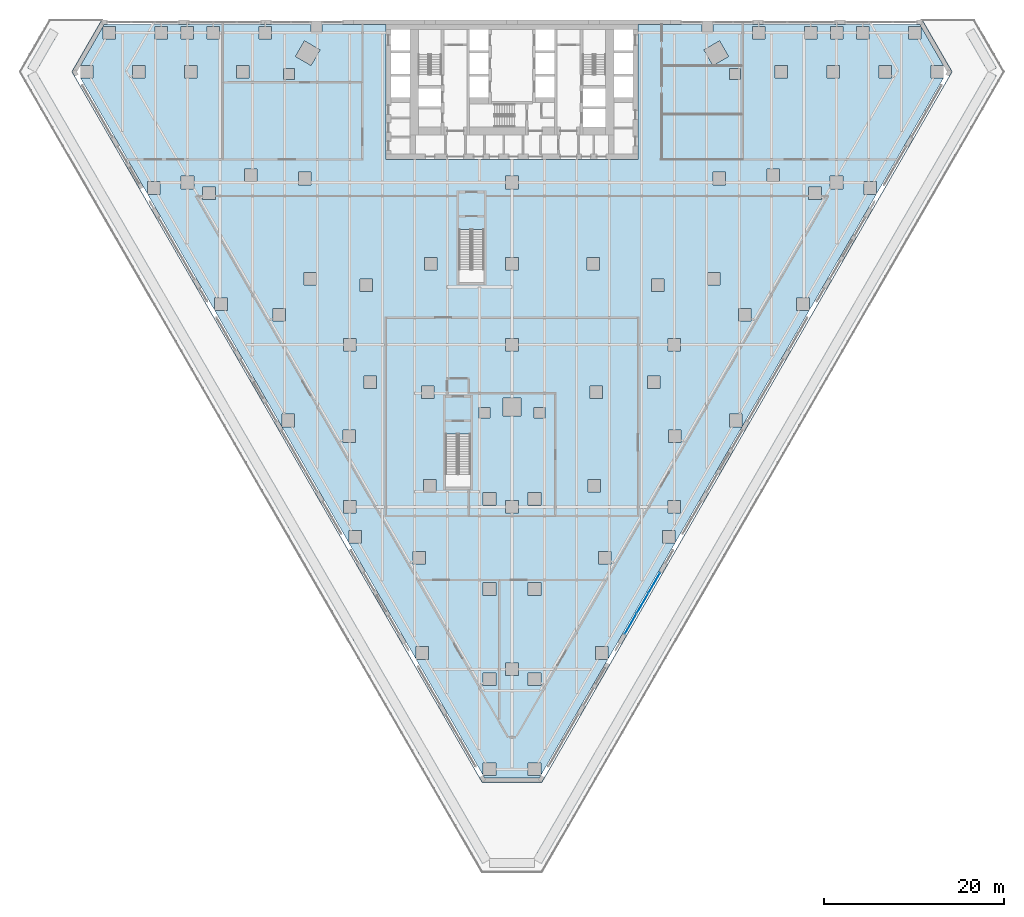
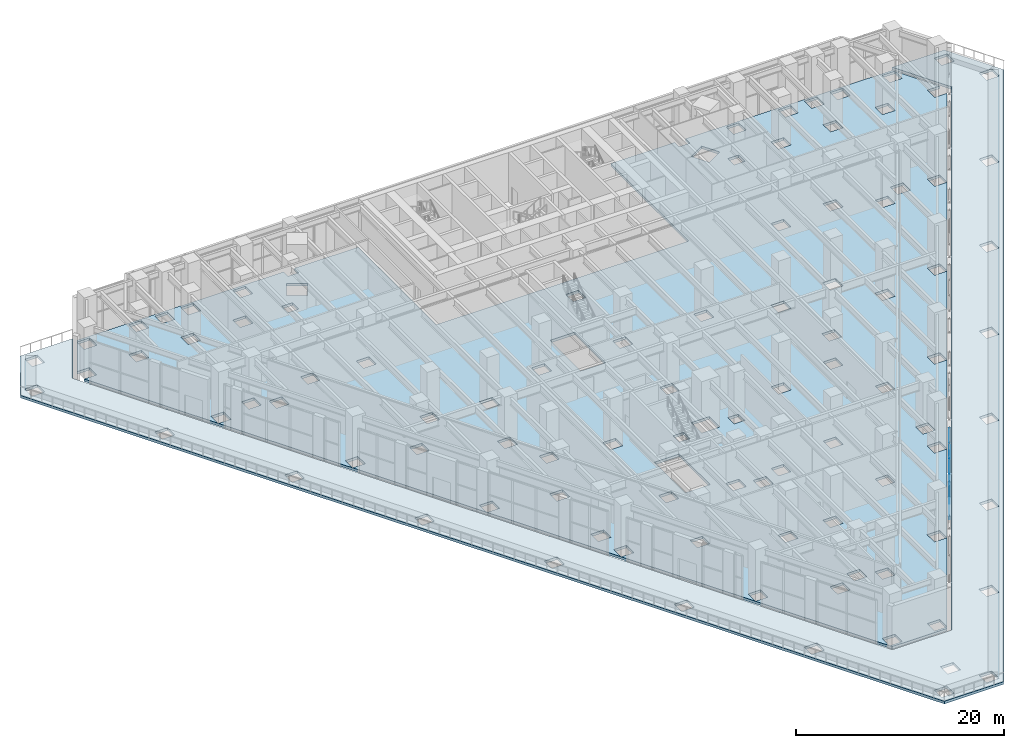
# One storey, part 23 of 40: 6 plates, 2 slabs, 1 element without a shape of its own.
"""IFC4 building model written with IfcOpenShell, lengths in metres."""

from ifc_helpers import new_model, si_unit, direction, frame, origin, origin_2d, place, context, subcontext, project, spatial, polyline, rectangle, outline, extrude, material, layer, layer_set, type_object, element, aggregate, save


model = new_model("IFC4")

# Units and contexts
model_context = context("Model", 3, precision=1e-05, world=origin(), true_north=direction((0.0, 1.0)))
body_context = subcontext(model_context, "Body", "Model", "MODEL_VIEW")
ifc_project = project(units=[si_unit("LENGTHUNIT", "METRE"), si_unit("AREAUNIT", "SQUARE_METRE"), si_unit("VOLUMEUNIT", "CUBIC_METRE"), si_unit("PLANEANGLEUNIT", "RADIAN"), si_unit("MASSUNIT", "GRAM", prefix="KILO")], contexts=[model_context])

# Site, building, storey
site_placement = place(None, origin())
site = spatial("IfcSite", under=ifc_project, at=site_placement, CompositionType="ELEMENT")
building_placement = place(site_placement, origin())
building = spatial("IfcBuilding", under=site, at=building_placement, Name="Aloe Facet Convention Tower", CompositionType="ELEMENT")
storey_placement = place(building_placement, frame((0.0, 0.0, 13.5)))
storey = spatial("IfcBuildingStorey", under=building, at=storey_placement, Name="L02", CompositionType="ELEMENT", Elevation=13.5)

# Curtain wall, plates
ifc_material_1 = material(Name="Aluminium, anodised", Category="aluminium")
curtain_wall_type = type_object("IfcCurtainWallType", Name="EV-CW-HALL", PredefinedType="USERDEFINED", material=ifc_material_1)
curtain_wall_placement = place(storey_placement, origin())
curtain_wall = element("IfcCurtainWall", 1, at=curtain_wall_placement, inside=storey, type_object=curtain_wall_type, Name="CW-L02-E06", ObjectType="UNITISED HALL GLAZING", PredefinedType="USERDEFINED")
ifc_material_2 = material(Name="Clear double glazing", Category="glass")
ifc_layer_1 = layer(ifc_material_2, 0.035888671875)
ifc_layer_set_1 = layer_set([ifc_layer_1], Name="EV-PANEL-HALL")
plate_type = type_object("IfcPlateType", Name="EV-PANEL-HALL", PredefinedType="CURTAIN_PANEL", material=ifc_layer_set_1)
plate_1_placement = place(storey_placement, frame((93.17041015625, 68.0322265625, -0.23486328125), z_axis=(0.0, 0.0, 1.0), x_axis=(0.499999999955, 0.866025403811, 0.0)))
plate_1 = element("IfcPlate", 2, at=plate_1_placement, type_object=plate_type, Name="CW-L02-E06 panel 1.1", PredefinedType="CURTAIN_PANEL", context=body_context, shape_type="SweptSolid", body=[
    extrude(rectangle(XDim=2.535400390625, YDim=0.035888671875, at=origin_2d()), origin(), (0.0, 0.0, 1.0), 2.583740234375),
])
plate_2_placement = place(storey_placement, frame((93.17041015625, 68.0322265625, 2.41357421875), z_axis=(0.0, 0.0, 1.0), x_axis=(0.499999999955, 0.866025403811, 0.0)))
plate_2 = element("IfcPlate", 3, at=plate_2_placement, type_object=plate_type, Name="CW-L02-E06 panel 1.2", PredefinedType="CURTAIN_PANEL", context=body_context, shape_type="SweptSolid", body=[
    extrude(rectangle(XDim=2.535400390625, YDim=0.035888671875, at=origin_2d()), origin(), (0.0, 0.0, 1.0), 2.583740234375),
])
plate_3_placement = place(storey_placement, frame((94.478759765625, 70.29833984375, -0.23486328125), z_axis=(0.0, 0.0, 1.0), x_axis=(0.499999999955, 0.866025403811, 0.0)))
plate_3 = element("IfcPlate", 4, at=plate_3_placement, type_object=plate_type, Name="CW-L02-E06 panel 2.1", PredefinedType="CURTAIN_PANEL", context=body_context, shape_type="SweptSolid", body=[
    extrude(rectangle(XDim=2.56787109375, YDim=0.035888671875, at=origin_2d()), origin(), (0.0, 0.0, 1.0), 2.583740234375),
])
plate_4_placement = place(storey_placement, frame((94.478759765625, 70.29833984375, 2.41357421875), z_axis=(0.0, 0.0, 1.0), x_axis=(0.499999999955, 0.866025403811, 0.0)))
plate_4 = element("IfcPlate", 5, at=plate_4_placement, type_object=plate_type, Name="CW-L02-E06 panel 2.2", PredefinedType="CURTAIN_PANEL", context=body_context, shape_type="SweptSolid", body=[
    extrude(rectangle(XDim=2.56787109375, YDim=0.035888671875, at=origin_2d()), origin(), (0.0, 0.0, 1.0), 2.583740234375),
])
plate_5_placement = place(storey_placement, frame((95.787109375, 72.564453125, -0.23486328125), z_axis=(0.0, 0.0, 1.0), x_axis=(0.499999999955, 0.866025403811, 0.0)))
plate_5 = element("IfcPlate", 6, at=plate_5_placement, type_object=plate_type, Name="CW-L02-E06 panel 3.1", PredefinedType="CURTAIN_PANEL", context=body_context, shape_type="SweptSolid", body=[
    extrude(rectangle(XDim=2.535400390625, YDim=0.035888671875, at=origin_2d()), origin(), (0.0, 0.0, 1.0), 2.583740234375),
])
plate_6_placement = place(storey_placement, frame((95.787109375, 72.564453125, 2.41357421875), z_axis=(0.0, 0.0, 1.0), x_axis=(0.499999999955, 0.866025403811, 0.0)))
plate_6 = element("IfcPlate", 7, at=plate_6_placement, type_object=plate_type, Name="CW-L02-E06 panel 3.2", PredefinedType="CURTAIN_PANEL", context=body_context, shape_type="SweptSolid", body=[
    extrude(rectangle(XDim=2.535400390625, YDim=0.035888671875, at=origin_2d()), origin(), (0.0, 0.0, 1.0), 2.583740234375),
])
aggregate(curtain_wall, [plate_1, plate_2, plate_3, plate_4, plate_5, plate_6])

# Slabs
ifc_material_3 = material(Name="Concrete C35/45", Category="concrete")
ifc_layer_2 = layer(ifc_material_3, 0.300048828125)
ifc_layer_set_2 = layer_set([ifc_layer_2], Name="SF-FS-300")
slab_type_1 = type_object("IfcSlabType", Name="SF-FS-300", PredefinedType="FLOOR", material=ifc_layer_set_2)
slab_1_placement = place(storey_placement, frame((0.0, 0.0, -0.300048828125)))
element("IfcSlab", 8, at=slab_1_placement, inside=storey, type_object=slab_type_1, Name="Floor slab L02-1", PredefinedType="FLOOR", context=body_context, shape_type="SweptSolid", body=[
    extrude(outline(polyline([(125.37841796875, 134.300048828125), (123.986083984375, 134.300048828125), (123.986083984375, 132.89990234375), (125.385986328125, 132.89990234375), (125.385986328125, 134.287109375), (127.870361328125, 129.98388671875), (126.47705078125, 129.98388671875), (126.47705078125, 128.583984375), (127.8701171875, 128.583984375), (120.429931640625, 115.697265625), (120.429931640625, 117.0849609375), (119.030029296875, 117.0849609375), (119.030029296875, 115.68505859375), (120.4228515625, 115.68505859375), (112.98193359375, 102.797119140625), (112.98193359375, 104.18505859375), (111.58203125, 104.18505859375), (111.58203125, 102.784912109375), (112.97509765625, 102.784912109375), (105.534912109375, 89.8984375), (105.534912109375, 91.284912109375), (104.135009765625, 91.284912109375), (104.135009765625, 89.885009765625), (105.527099609375, 89.885009765625), (98.0869140625, 76.998046875), (98.0869140625, 78.385986328125), (96.68701171875, 78.385986328125), (96.68701171875, 76.986083984375), (98.080078125, 76.986083984375), (90.638916015625, 64.097900390625), (90.638916015625, 65.486083984375), (89.239013671875, 65.486083984375), (89.239013671875, 64.0859375), (90.632080078125, 64.0859375), (83.19189453125, 51.19921875), (83.19189453125, 52.5859375), (81.7919921875, 52.5859375), (81.7919921875, 51.18603515625), (83.184326171875, 51.18603515625), (83.040283203125, 50.936279296875), (76.959716796875, 50.936279296875), (76.815673828125, 51.18603515625), (78.2080078125, 51.18603515625), (78.2080078125, 52.5859375), (76.80810546875, 52.5859375), (76.80810546875, 51.19921875), (69.367919921875, 64.0859375), (70.760986328125, 64.0859375), (70.760986328125, 65.486083984375), (69.361083984375, 65.486083984375), (69.361083984375, 64.097900390625), (61.919921875, 76.986083984375), (63.31298828125, 76.986083984375), (63.31298828125, 78.385986328125), (61.9130859375, 78.385986328125), (61.9130859375, 76.998046875), (54.472900390625, 89.885009765625), (55.864990234375, 89.885009765625), (55.864990234375, 91.284912109375), (54.465087890625, 91.284912109375), (54.465087890625, 89.8984375), (47.02490234375, 102.784912109375), (48.41796875, 102.784912109375), (48.41796875, 104.18505859375), (47.01806640625, 104.18505859375), (47.01806640625, 102.797119140625), (39.5771484375, 115.68505859375), (40.969970703125, 115.68505859375), (40.969970703125, 117.0849609375), (39.570068359375, 117.0849609375), (39.570068359375, 115.697265625), (32.1298828125, 128.583984375), (33.52294921875, 128.583984375), (33.52294921875, 129.98388671875), (32.129638671875, 129.98388671875), (34.614013671875, 134.287109375), (34.614013671875, 132.89990234375), (36.013916015625, 132.89990234375), (36.013916015625, 134.300048828125), (34.62158203125, 134.300048828125), (34.765869140625, 134.550048828125), (57.699951171875, 134.550048828125), (57.699951171875, 133.699951171875), (58.89990234375, 133.699951171875), (58.89990234375, 134.550048828125), (66.0, 134.550048828125), (66.0, 131.949951171875), (66.0, 131.050048828125), (66.0, 129.35009765625), (66.0, 128.449951171875), (66.0, 126.449951171875), (66.0, 125.85009765625), (66.0, 124.689453125), (66.0, 123.639404296875), (66.0, 122.550048828125), (66.0, 121.5), (66.0, 119.550048828125), (68.699951171875, 119.550048828125), (69.300048828125, 119.550048828125), (72.10009765625, 119.550048828125), (73.14990234375, 119.550048828125), (74.300048828125, 119.550048828125), (75.35009765625, 119.550048828125), (76.433349609375, 119.550048828125), (77.4833984375, 119.550048828125), (78.566650390625, 119.550048828125), (79.61669921875, 119.550048828125), (80.699951171875, 119.550048828125), (81.75, 119.550048828125), (82.64990234375, 119.550048828125), (83.699951171875, 119.550048828125), (84.64990234375, 119.550048828125), (85.699951171875, 119.550048828125), (86.85009765625, 119.550048828125), (87.89990234375, 119.550048828125), (88.550048828125, 119.550048828125), (89.60009765625, 119.550048828125), (90.699951171875, 119.550048828125), (91.300048828125, 119.550048828125), (94.0, 119.550048828125), (94.0, 122.523681640625), (94.0, 123.57373046875), (94.0, 125.85009765625), (94.0, 126.449951171875), (94.0, 128.449951171875), (94.0, 129.35009765625), (94.0, 131.050048828125), (94.0, 131.949951171875), (94.0, 134.550048828125), (101.10009765625, 134.550048828125), (101.10009765625, 133.699951171875), (102.300048828125, 133.699951171875), (102.300048828125, 134.550048828125), (125.234130859375, 134.550048828125), (125.37841796875, 134.300048828125)]), holes=[polyline([(53.4609375, 101.625), (54.861083984375, 101.625), (54.861083984375, 103.02490234375), (53.4609375, 103.02490234375), (53.4609375, 101.625)]), polyline([(56.925048828125, 105.625), (58.324951171875, 105.625), (58.324951171875, 107.02490234375), (56.925048828125, 107.02490234375), (56.925048828125, 105.625)]), polyline([(45.678955078125, 116.5048828125), (45.678955078125, 115.10498046875), (47.0791015625, 115.10498046875), (47.0791015625, 116.5048828125), (45.678955078125, 116.5048828125)]), polyline([(43.300048828125, 117.699951171875), (43.300048828125, 116.300048828125), (44.699951171875, 116.300048828125), (44.699951171875, 117.699951171875), (43.300048828125, 117.699951171875)]), polyline([(56.283935546875, 118.135009765625), (56.283935546875, 116.735107421875), (57.68408203125, 116.735107421875), (57.68408203125, 118.135009765625), (56.283935546875, 118.135009765625)]), polyline([(50.297119140625, 117.10498046875), (51.697021484375, 117.10498046875), (51.697021484375, 118.5048828125), (50.297119140625, 118.5048828125), (50.297119140625, 117.10498046875)]), polyline([(54.65625, 129.6279296875), (54.65625, 128.427978515625), (55.856201171875, 128.427978515625), (55.856201171875, 129.6279296875), (54.65625, 129.6279296875)]), polyline([(37.89599609375, 129.98388671875), (37.89599609375, 128.583984375), (39.2958984375, 128.583984375), (39.2958984375, 129.98388671875), (37.89599609375, 129.98388671875)]), polyline([(43.669921875, 128.583984375), (45.070068359375, 128.583984375), (45.070068359375, 129.98388671875), (43.669921875, 129.98388671875), (43.669921875, 128.583984375)]), polyline([(49.443115234375, 129.98388671875), (49.443115234375, 128.583984375), (50.843017578125, 128.583984375), (50.843017578125, 129.98388671875), (49.443115234375, 129.98388671875)]), polyline([(57.70166015625, 129.97607421875), (58.70166015625, 131.7080078125), (56.969482421875, 132.7080078125), (55.969482421875, 130.97607421875), (57.70166015625, 129.97607421875)]), polyline([(46.160888671875, 134.300048828125), (46.160888671875, 132.89990234375), (47.56103515625, 132.89990234375), (47.56103515625, 134.300048828125), (46.160888671875, 134.300048828125)]), polyline([(51.93505859375, 134.300048828125), (51.93505859375, 132.89990234375), (53.3349609375, 132.89990234375), (53.3349609375, 134.300048828125), (51.93505859375, 134.300048828125)]), polyline([(43.258056640625, 134.300048828125), (43.258056640625, 132.89990234375), (44.657958984375, 132.89990234375), (44.657958984375, 134.300048828125), (43.258056640625, 134.300048828125)]), polyline([(40.387939453125, 134.300048828125), (40.387939453125, 132.89990234375), (41.7880859375, 132.89990234375), (41.7880859375, 134.300048828125), (40.387939453125, 134.300048828125)]), polyline([(76.80810546875, 62.5859375), (76.80810546875, 61.18603515625), (78.2080078125, 61.18603515625), (78.2080078125, 62.5859375), (76.80810546875, 62.5859375)]), polyline([(76.80810546875, 72.5859375), (76.80810546875, 71.18603515625), (78.2080078125, 71.18603515625), (78.2080078125, 72.5859375), (76.80810546875, 72.5859375)]), polyline([(69.02587890625, 76.06591796875), (69.02587890625, 74.666015625), (70.426025390625, 74.666015625), (70.426025390625, 76.06591796875), (69.02587890625, 76.06591796875)]), polyline([(61.300048828125, 81.699951171875), (61.300048828125, 80.300048828125), (62.699951171875, 80.300048828125), (62.699951171875, 81.699951171875), (61.300048828125, 81.699951171875)]), polyline([(76.80810546875, 82.5859375), (76.80810546875, 81.18603515625), (78.2080078125, 81.18603515625), (78.2080078125, 82.5859375), (76.80810546875, 82.5859375)]), polyline([(70.180908203125, 84.06591796875), (70.180908203125, 82.666015625), (71.5810546875, 82.666015625), (71.5810546875, 84.06591796875), (70.180908203125, 84.06591796875)]), polyline([(72.625, 83.199951171875), (75.375, 83.199951171875), (75.375, 89.098876953125), (72.625, 89.098876953125), (72.625, 83.199951171875)]), polyline([(61.242919921875, 89.544921875), (61.242919921875, 88.14501953125), (62.64306640625, 88.14501953125), (62.64306640625, 89.544921875), (61.242919921875, 89.544921875)]), polyline([(76.356201171875, 92.04248046875), (76.356201171875, 90.842529296875), (77.55615234375, 90.842529296875), (77.55615234375, 92.04248046875), (76.356201171875, 92.04248046875)]), polyline([(79.0, 93.086181640625), (79.0, 91.086181640625), (81.0, 91.086181640625), (81.0, 93.086181640625), (79.0, 93.086181640625)]), polyline([(69.967041015625, 94.43603515625), (69.967041015625, 93.035888671875), (71.366943359375, 93.035888671875), (71.366943359375, 94.43603515625), (69.967041015625, 94.43603515625)]), polyline([(63.552978515625, 95.544921875), (63.552978515625, 94.14501953125), (64.952880859375, 94.14501953125), (64.952880859375, 95.544921875), (63.552978515625, 95.544921875)]), polyline([(61.300048828125, 98.300048828125), (62.699951171875, 98.300048828125), (62.699951171875, 99.699951171875), (61.300048828125, 99.699951171875), (61.300048828125, 98.300048828125)]), polyline([(63.1259765625, 106.284912109375), (63.1259765625, 104.885009765625), (64.52587890625, 104.885009765625), (64.52587890625, 106.284912109375), (63.1259765625, 106.284912109375)]), polyline([(79.300048828125, 108.699951171875), (79.300048828125, 107.300048828125), (80.699951171875, 107.300048828125), (80.699951171875, 108.699951171875), (79.300048828125, 108.699951171875)]), polyline([(70.300048828125, 108.699951171875), (70.300048828125, 107.300048828125), (71.699951171875, 107.300048828125), (71.699951171875, 108.699951171875), (70.300048828125, 108.699951171875)]), polyline([(74.125, 111.798828125), (74.125, 105.89990234375), (76.875, 105.89990234375), (76.875, 111.798828125), (74.125, 111.798828125)]), polyline([(79.300048828125, 117.699951171875), (79.300048828125, 116.300048828125), (80.699951171875, 116.300048828125), (80.699951171875, 117.699951171875), (79.300048828125, 117.699951171875)]), polyline([(81.7919921875, 62.5859375), (81.7919921875, 61.18603515625), (83.19189453125, 61.18603515625), (83.19189453125, 62.5859375), (81.7919921875, 62.5859375)]), polyline([(79.300048828125, 62.300048828125), (80.699951171875, 62.300048828125), (80.699951171875, 63.699951171875), (79.300048828125, 63.699951171875), (79.300048828125, 62.300048828125)]), polyline([(81.7919921875, 71.18603515625), (83.19189453125, 71.18603515625), (83.19189453125, 72.5859375), (81.7919921875, 72.5859375), (81.7919921875, 71.18603515625)]), polyline([(89.573974609375, 76.06591796875), (89.573974609375, 74.666015625), (90.97412109375, 74.666015625), (90.97412109375, 76.06591796875), (89.573974609375, 76.06591796875)]), polyline([(79.300048828125, 80.300048828125), (80.699951171875, 80.300048828125), (80.699951171875, 81.699951171875), (79.300048828125, 81.699951171875), (79.300048828125, 80.300048828125)]), polyline([(97.300048828125, 81.699951171875), (97.300048828125, 80.300048828125), (98.699951171875, 80.300048828125), (98.699951171875, 81.699951171875), (97.300048828125, 81.699951171875)]), polyline([(81.7919921875, 82.5859375), (81.7919921875, 81.18603515625), (83.19189453125, 81.18603515625), (83.19189453125, 82.5859375), (81.7919921875, 82.5859375)]), polyline([(88.4189453125, 82.666015625), (89.819091796875, 82.666015625), (89.819091796875, 84.06591796875), (88.4189453125, 84.06591796875), (88.4189453125, 82.666015625)]), polyline([(97.35693359375, 89.544921875), (97.35693359375, 88.14501953125), (98.757080078125, 88.14501953125), (98.757080078125, 89.544921875), (97.35693359375, 89.544921875)]), polyline([(82.44384765625, 92.04248046875), (82.44384765625, 90.842529296875), (83.643798828125, 90.842529296875), (83.643798828125, 92.04248046875), (82.44384765625, 92.04248046875)]), polyline([(88.633056640625, 93.035888671875), (90.032958984375, 93.035888671875), (90.032958984375, 94.43603515625), (88.633056640625, 94.43603515625), (88.633056640625, 93.035888671875)]), polyline([(95.047119140625, 95.544921875), (95.047119140625, 94.14501953125), (96.447021484375, 94.14501953125), (96.447021484375, 95.544921875), (95.047119140625, 95.544921875)]), polyline([(97.300048828125, 99.699951171875), (97.300048828125, 98.300048828125), (98.699951171875, 98.300048828125), (98.699951171875, 99.699951171875), (97.300048828125, 99.699951171875)]), polyline([(79.300048828125, 99.699951171875), (79.300048828125, 98.300048828125), (80.699951171875, 98.300048828125), (80.699951171875, 99.699951171875), (79.300048828125, 99.699951171875)]), polyline([(95.47412109375, 106.284912109375), (95.47412109375, 104.885009765625), (96.8740234375, 104.885009765625), (96.8740234375, 106.284912109375), (95.47412109375, 106.284912109375)]), polyline([(101.675048828125, 107.02490234375), (101.675048828125, 105.625), (103.074951171875, 105.625), (103.074951171875, 107.02490234375), (101.675048828125, 107.02490234375)]), polyline([(88.300048828125, 108.699951171875), (88.300048828125, 107.300048828125), (89.699951171875, 107.300048828125), (89.699951171875, 108.699951171875), (88.300048828125, 108.699951171875)]), polyline([(102.29833984375, 129.97607421875), (104.030517578125, 130.97607421875), (103.030517578125, 132.7080078125), (101.29833984375, 131.7080078125), (102.29833984375, 129.97607421875)]), polyline([(105.138916015625, 103.02490234375), (105.138916015625, 101.625), (106.5390625, 101.625), (106.5390625, 103.02490234375), (105.138916015625, 103.02490234375)]), polyline([(112.9208984375, 116.5048828125), (112.9208984375, 115.10498046875), (114.321044921875, 115.10498046875), (114.321044921875, 116.5048828125), (112.9208984375, 116.5048828125)]), polyline([(115.300048828125, 117.699951171875), (115.300048828125, 116.300048828125), (116.699951171875, 116.300048828125), (116.699951171875, 117.699951171875), (115.300048828125, 117.699951171875)]), polyline([(102.31591796875, 118.135009765625), (102.31591796875, 116.735107421875), (103.716064453125, 116.735107421875), (103.716064453125, 118.135009765625), (102.31591796875, 118.135009765625)]), polyline([(108.302978515625, 117.10498046875), (109.702880859375, 117.10498046875), (109.702880859375, 118.5048828125), (108.302978515625, 118.5048828125), (108.302978515625, 117.10498046875)]), polyline([(104.143798828125, 129.6279296875), (104.143798828125, 128.427978515625), (105.34375, 128.427978515625), (105.34375, 129.6279296875), (104.143798828125, 129.6279296875)]), polyline([(120.7041015625, 129.98388671875), (120.7041015625, 128.583984375), (122.10400390625, 128.583984375), (122.10400390625, 129.98388671875), (120.7041015625, 129.98388671875)]), polyline([(114.929931640625, 129.98388671875), (114.929931640625, 128.583984375), (116.330078125, 128.583984375), (116.330078125, 129.98388671875), (114.929931640625, 129.98388671875)]), polyline([(109.156982421875, 128.583984375), (110.556884765625, 128.583984375), (110.556884765625, 129.98388671875), (109.156982421875, 129.98388671875), (109.156982421875, 128.583984375)]), polyline([(118.2119140625, 134.300048828125), (118.2119140625, 132.89990234375), (119.612060546875, 132.89990234375), (119.612060546875, 134.300048828125), (118.2119140625, 134.300048828125)]), polyline([(115.342041015625, 134.300048828125), (115.342041015625, 132.89990234375), (116.741943359375, 132.89990234375), (116.741943359375, 134.300048828125), (115.342041015625, 134.300048828125)]), polyline([(112.43896484375, 134.300048828125), (112.43896484375, 132.89990234375), (113.839111328125, 132.89990234375), (113.839111328125, 134.300048828125), (112.43896484375, 134.300048828125)]), polyline([(106.6650390625, 134.300048828125), (106.6650390625, 132.89990234375), (108.06494140625, 132.89990234375), (108.06494140625, 134.300048828125), (106.6650390625, 134.300048828125)])]), origin(), (0.0, 0.0, 1.0), 0.300048828125),
])
ifc_material_4 = material(Name="Concrete C35/45", Category="concrete")
ifc_layer_3 = layer(ifc_material_4, 0.300048828125)
ifc_layer_set_3 = layer_set([ifc_layer_3], Name="SF-TS-300")
slab_type_2 = type_object("IfcSlabType", Name="SF-TS-300", PredefinedType="FLOOR", material=ifc_layer_set_3)
slab_2_placement = place(storey_placement, frame((0.0, 0.0, -0.300048828125)))
element("IfcSlab", 9, at=slab_2_placement, inside=storey, type_object=slab_type_2, Name="Terrace slab PT-L02-1", PredefinedType="FLOOR", context=body_context, shape_type="SweptSolid", body=[
    extrude(outline(polyline([(134.5673828125, 129.2841796875), (83.300048828125, 40.486328125), (76.699951171875, 40.486328125), (25.4326171875, 129.2841796875), (28.732421875, 135.0), (34.506103515625, 135.0), (31.2060546875, 129.2841796875), (76.699951171875, 50.486328125), (83.300048828125, 50.486328125), (128.7939453125, 129.2841796875), (125.493896484375, 135.0), (131.267578125, 135.0), (134.5673828125, 129.2841796875)]), holes=[polyline([(55.18310546875, 78.64306640625), (56.5830078125, 78.64306640625), (56.5830078125, 80.04296875), (55.18310546875, 80.04296875), (55.18310546875, 78.64306640625)]), polyline([(47.97412109375, 92.528076171875), (47.97412109375, 91.1279296875), (49.3740234375, 91.1279296875), (49.3740234375, 92.528076171875), (47.97412109375, 92.528076171875)]), polyline([(40.76611328125, 105.012939453125), (40.76611328125, 103.613037109375), (42.166015625, 103.613037109375), (42.166015625, 105.012939453125), (40.76611328125, 105.012939453125)]), polyline([(33.55810546875, 117.4990234375), (33.55810546875, 116.09912109375), (34.9580078125, 116.09912109375), (34.9580078125, 117.4990234375), (33.55810546875, 117.4990234375)]), polyline([(26.34912109375, 129.98388671875), (26.34912109375, 128.583984375), (27.7490234375, 128.583984375), (27.7490234375, 129.98388671875), (26.34912109375, 129.98388671875)]), polyline([(28.841064453125, 134.300048828125), (28.841064453125, 132.89990234375), (30.240966796875, 132.89990234375), (30.240966796875, 134.300048828125), (28.841064453125, 134.300048828125)]), polyline([(76.80810546875, 41.18603515625), (78.2080078125, 41.18603515625), (78.2080078125, 42.5859375), (76.80810546875, 42.5859375), (76.80810546875, 41.18603515625)]), polyline([(79.300048828125, 45.699951171875), (79.300048828125, 44.300048828125), (80.699951171875, 44.300048828125), (80.699951171875, 45.699951171875), (79.300048828125, 45.699951171875)]), polyline([(69.60009765625, 53.672119140625), (71.0, 53.672119140625), (71.0, 55.072021484375), (69.60009765625, 55.072021484375), (69.60009765625, 53.672119140625)]), polyline([(62.39111328125, 67.556884765625), (62.39111328125, 66.156982421875), (63.791015625, 66.156982421875), (63.791015625, 67.556884765625), (62.39111328125, 67.556884765625)]), polyline([(81.7919921875, 41.18603515625), (83.19189453125, 41.18603515625), (83.19189453125, 42.5859375), (81.7919921875, 42.5859375), (81.7919921875, 41.18603515625)]), polyline([(89.0, 55.072021484375), (89.0, 53.672119140625), (90.39990234375, 53.672119140625), (90.39990234375, 55.072021484375), (89.0, 55.072021484375)]), polyline([(96.208984375, 67.556884765625), (96.208984375, 66.156982421875), (97.60888671875, 66.156982421875), (97.60888671875, 67.556884765625), (96.208984375, 67.556884765625)]), polyline([(103.4169921875, 78.64306640625), (104.81689453125, 78.64306640625), (104.81689453125, 80.04296875), (103.4169921875, 80.04296875), (103.4169921875, 78.64306640625)]), polyline([(110.6259765625, 92.528076171875), (110.6259765625, 91.1279296875), (112.02587890625, 91.1279296875), (112.02587890625, 92.528076171875), (110.6259765625, 92.528076171875)]), polyline([(117.833984375, 105.012939453125), (117.833984375, 103.613037109375), (119.23388671875, 103.613037109375), (119.23388671875, 105.012939453125), (117.833984375, 105.012939453125)]), polyline([(125.0419921875, 117.4990234375), (125.0419921875, 116.09912109375), (126.44189453125, 116.09912109375), (126.44189453125, 117.4990234375), (125.0419921875, 117.4990234375)]), polyline([(132.2509765625, 129.98388671875), (132.2509765625, 128.583984375), (133.65087890625, 128.583984375), (133.65087890625, 129.98388671875), (132.2509765625, 129.98388671875)]), polyline([(129.759033203125, 134.300048828125), (129.759033203125, 132.89990234375), (131.158935546875, 132.89990234375), (131.158935546875, 134.300048828125), (129.759033203125, 134.300048828125)])]), origin(), (0.0, 0.0, 1.0), 0.300048828125),
])

save(model, "model.ifc")
